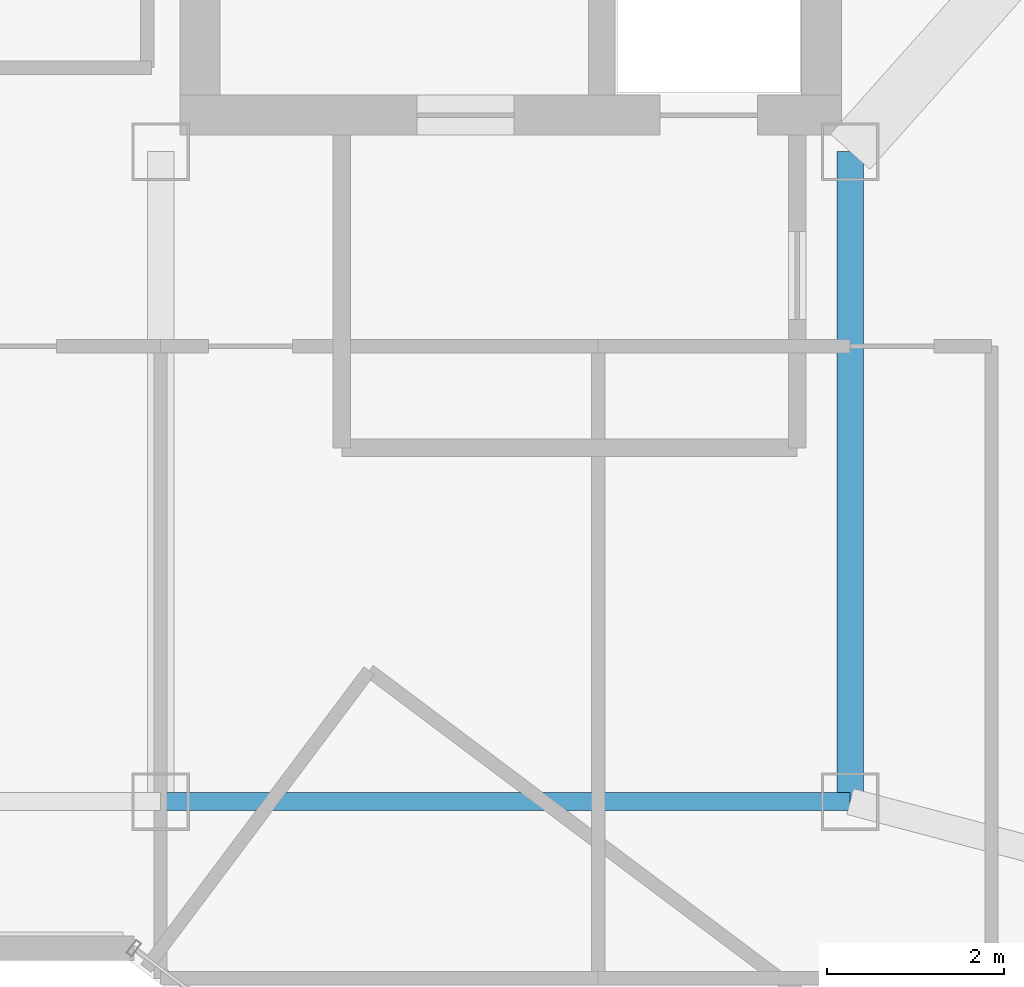
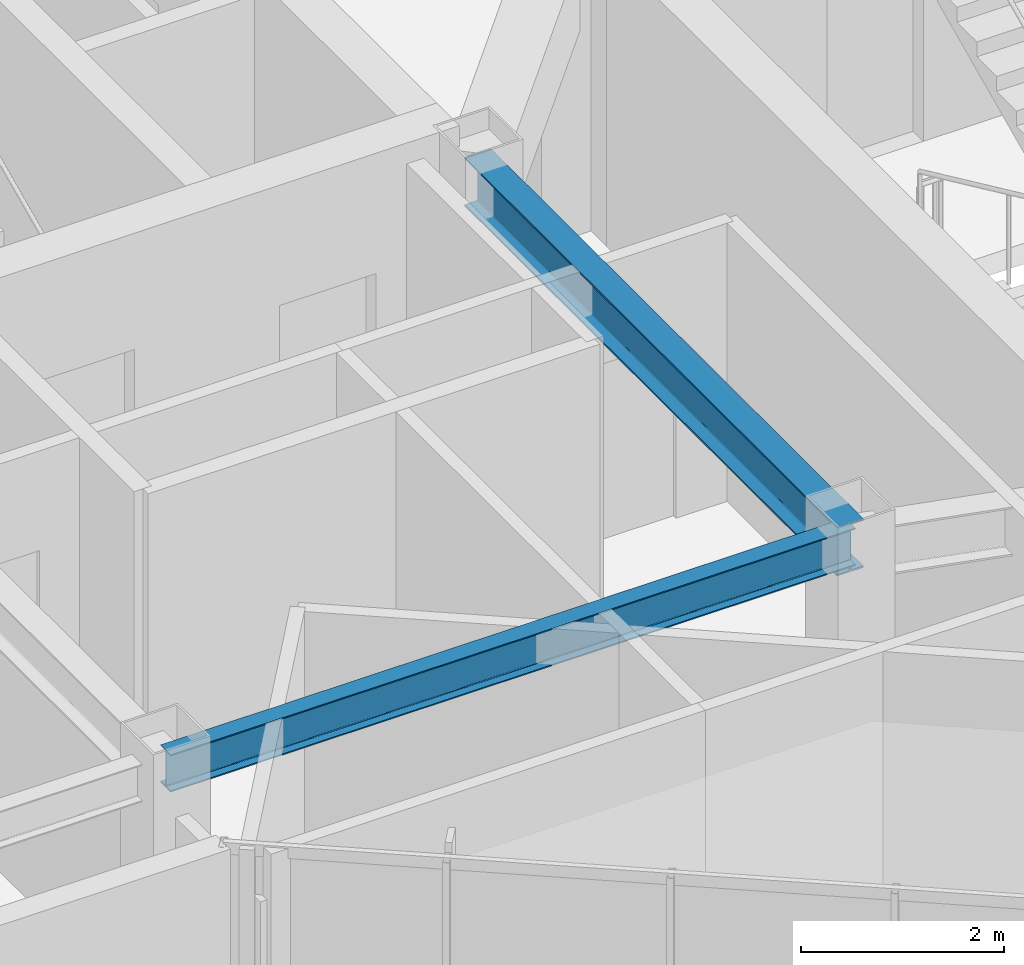
# One storey, part 4 of 22: 2 beams.
"""IFC4 building model written with IfcOpenShell, lengths in metres."""

from ifc_helpers import new_model, si_unit, direction, frame, origin, origin_2d, place, context, subcontext, project, spatial, i_section, extrude, material, material_profile, profile_set, type_object, element, save


model = new_model("IFC4")

# Units and contexts
model_context = context("Model", 3, precision=1e-05, world=origin(), true_north=direction((0.0, 1.0)))
body_context = subcontext(model_context, "Body", "Model", "MODEL_VIEW")
ifc_project = project(units=[si_unit("LENGTHUNIT", "METRE"), si_unit("AREAUNIT", "SQUARE_METRE"), si_unit("VOLUMEUNIT", "CUBIC_METRE"), si_unit("PLANEANGLEUNIT", "RADIAN"), si_unit("MASSUNIT", "GRAM", prefix="KILO")], contexts=[model_context])

# Site, building, storey
site_placement = place(None, origin())
site = spatial("IfcSite", under=ifc_project, at=site_placement, CompositionType="ELEMENT")
building_placement = place(site_placement, origin())
building = spatial("IfcBuilding", under=site, at=building_placement, Name="Hatsunagi Terrace Concourse", CompositionType="ELEMENT")
storey_placement = place(building_placement, frame((0.0, 0.0, 243.14990234375)))
storey = spatial("IfcBuildingStorey", under=building, at=storey_placement, Name="L64", CompositionType="ELEMENT", Elevation=243.14990234375)

# Beams
ifc_material_1 = material(Name="Steel SN490B", Category="steel")
ifc_material_profile_1 = material_profile(ifc_material_1, i_section(OverallWidth=0.300048828125, OverallDepth=0.587890625, WebThickness=0.011962890625, FlangeThickness=0.02001953125, FilletRadius=0.01806640625, at=origin_2d()), Name="H-588x300x12x20")
ifc_profile_set_1 = profile_set([ifc_material_profile_1], Name="Steel SN490B")
beam_type_1 = type_object("IfcBeamType", Name="OfficeHighGirder_H_588x300", PredefinedType="BEAM", material=ifc_profile_set_1)
beam_1_placement = place(storey_placement, frame((33.35009765625, 25.199951171875, 3.05615234375), z_axis=(0.0, 1.0, 0.0), x_axis=(-1.0, 0.0, 0.0)))
element("IfcBeam", 1, at=beam_1_placement, inside=storey, type_object=beam_type_1, Name="Beam G-06 BM-L64-K2CA", PredefinedType="BEAM", context=body_context, shape_type="SweptSolid", body=[
    extrude(i_section(OverallWidth=0.300048828125, OverallDepth=0.587890625, WebThickness=0.011962890625, FlangeThickness=0.02001953125, FilletRadius=0.01806640625, at=origin_2d()), origin(), (0.0, 0.0, 1.0), 7.35009765625),
])
ifc_material_2 = material(Name="Steel SN490B", Category="steel")
ifc_material_profile_2 = material_profile(ifc_material_2, i_section(OverallWidth=0.199951171875, OverallDepth=0.449951171875, WebThickness=0.009033203125, FlangeThickness=0.013916015625, FilletRadius=0.01611328125, at=origin_2d()), Name="H-450x200x9x14")
ifc_profile_set_2 = profile_set([ifc_material_profile_2], Name="Steel SN490B")
beam_type_2 = type_object("IfcBeamType", Name="PerimeterSpandrel_H_450x200", PredefinedType="SPANDREL", material=ifc_profile_set_2)
beam_2_placement = place(storey_placement, frame((25.550048828125, 25.199951171875, 3.125), z_axis=(1.0, 0.0, 0.0), x_axis=(0.0, 1.0, 0.0)))
element("IfcBeam", 2, at=beam_2_placement, inside=storey, type_object=beam_type_2, Name="Beam SP-02 BM-L64-WS-25", PredefinedType="SPANDREL", context=body_context, shape_type="SweptSolid", body=[
    extrude(i_section(OverallWidth=0.199951171875, OverallDepth=0.449951171875, WebThickness=0.009033203125, FlangeThickness=0.013916015625, FilletRadius=0.01611328125, at=origin_2d()), origin(), (0.0, 0.0, 1.0), 7.800048828125),
])

save(model, "model.ifc")
